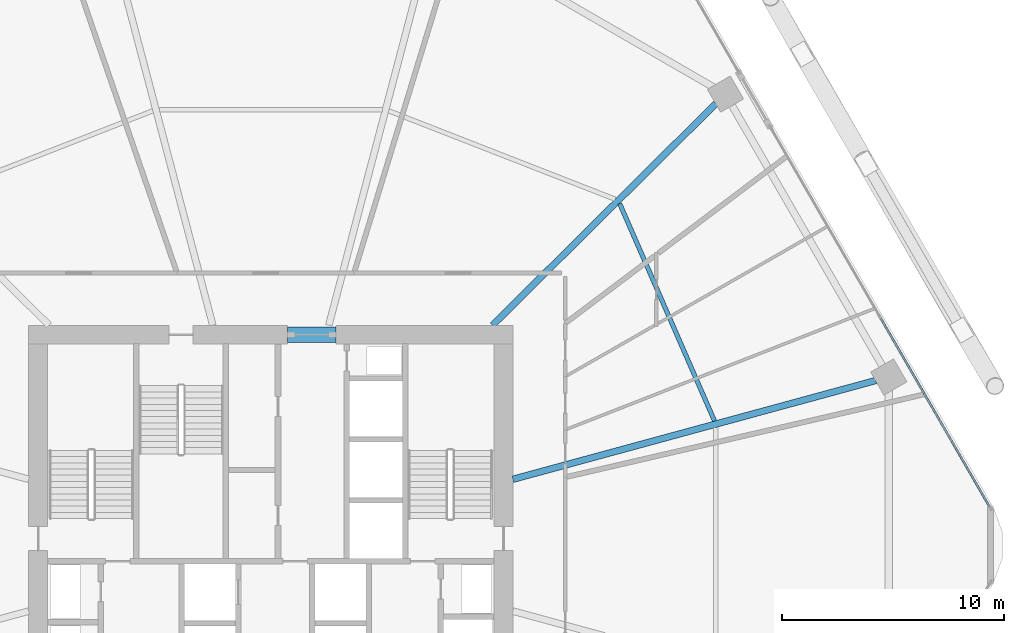
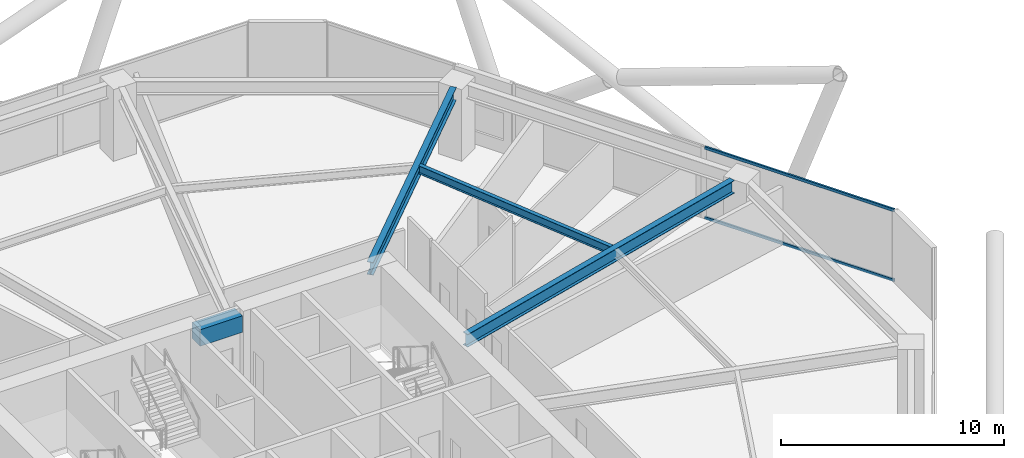
# One storey, part 18 of 28: 4 beams, 2 members, 1 element without a shape of its own.
"""IFC4 building model written with IfcOpenShell, lengths in metres."""

from ifc_helpers import new_model, si_unit, direction, frame, origin, origin_2d, place, context, subcontext, project, spatial, rectangle, hollow_rectangle, i_section, extrude, material, material_profile, profile_set, type_object, element, aggregate, save


model = new_model("IFC4")

# Units and contexts
model_context = context("Model", 3, precision=1e-05, world=origin(), true_north=direction((0.0, 1.0)))
body_context = subcontext(model_context, "Body", "Model", "MODEL_VIEW")
ifc_project = project(units=[si_unit("LENGTHUNIT", "METRE"), si_unit("AREAUNIT", "SQUARE_METRE"), si_unit("VOLUMEUNIT", "CUBIC_METRE"), si_unit("PLANEANGLEUNIT", "RADIAN"), si_unit("MASSUNIT", "GRAM", prefix="KILO")], contexts=[model_context])

# Site, building, storey
site_placement = place(None, origin())
site = spatial("IfcSite", under=ifc_project, at=site_placement, CompositionType="ELEMENT")
building_placement = place(site_placement, origin())
building = spatial("IfcBuilding", under=site, at=building_placement, Name="Zuhravey Tower", CompositionType="ELEMENT")
storey_placement = place(building_placement, frame((0.0, 0.0, 49.800048828125)))
storey = spatial("IfcBuildingStorey", under=building, at=storey_placement, Name="L12", CompositionType="ELEMENT", Elevation=49.800048828125)

# Beam
ifc_material_1 = material(Name="Concrete C60/75", Category="concrete")
ifc_material_profile_1 = material_profile(ifc_material_1, rectangle(XDim=0.699951171875, YDim=0.89990234375, at=origin_2d()), Name="RC-700x900")
ifc_profile_set_1 = profile_set([ifc_material_profile_1], Name="Concrete C60/75")
beam_type_1 = type_object("IfcBeamType", Name="Core Coupling Beam RC700x900", PredefinedType="LINTEL", material=ifc_profile_set_1)
beam_1_placement = place(storey_placement, frame((36.751953125, 41.5, 3.469970703125), z_axis=(1.0, 0.0, 0.0), x_axis=(0.0, 1.0, 0.0)))
element("IfcBeam", 1, at=beam_1_placement, inside=storey, type_object=beam_type_1, Name="L12 CB1 BM-L12-CB-N", PredefinedType="LINTEL", context=body_context, shape_type="SweptSolid", body=[
    extrude(rectangle(XDim=0.699951171875, YDim=0.89990234375, at=origin_2d()), origin(), (0.0, 0.0, 1.0), 2.196044921875),
])

# Curtain wall, members
ifc_material_2 = material(Name="Thermally broken anodised aluminium", Category="aluminium")
curtain_wall_type = type_object("IfcCurtainWallType", Name="School Low-E Unitised Curtain Wall CW1", PredefinedType="NOTDEFINED", material=ifc_material_2)
curtain_wall_placement = place(storey_placement, origin())
curtain_wall = element("IfcCurtainWall", 2, at=curtain_wall_placement, inside=storey, type_object=curtain_wall_type, Name="L12 CW1 CW-L12-F1-2", PredefinedType="NOTDEFINED")
ifc_material_3 = material(Name="Anodised aluminium", Category="aluminium")
ifc_material_profile_2 = material_profile(ifc_material_3, hollow_rectangle(XDim=0.090087890625, YDim=0.14990234375, WallThickness=0.0048828125, at=origin_2d()), Name="ALU-RHS-90x150x5")
ifc_profile_set_2 = profile_set([ifc_material_profile_2], Name="Anodised aluminium")
member_type = type_object("IfcMemberType", Name="Curtain-Wall Transom 90x150", PredefinedType="USERDEFINED", material=ifc_profile_set_2)
member_1_placement = place(storey_placement, frame((63.529296875, 42.234619140625, 0.044921875), z_axis=(0.500015484165, -0.866016463813, 0.0), x_axis=(0.866016463813, 0.500015484165, 0.0)))
member_1 = element("IfcMember", 3, at=member_1_placement, type_object=member_type, Name="CW1 transom 2.1", ObjectType="TRANSOM", PredefinedType="USERDEFINED", context=body_context, shape_type="SweptSolid", body=[
    extrude(hollow_rectangle(XDim=0.090087890625, YDim=0.14990234375, WallThickness=0.0048828125, at=origin_2d()), origin(), (0.0, 0.0, 1.0), 9.808349609375),
])
member_2_placement = place(storey_placement, frame((63.529296875, 42.234619140625, 3.875), z_axis=(0.500015484165, -0.866016463813, 0.0), x_axis=(0.866016463813, 0.500015484165, 0.0)))
member_2 = element("IfcMember", 4, at=member_2_placement, type_object=member_type, Name="CW1 transom 2.2", ObjectType="TRANSOM", PredefinedType="USERDEFINED", context=body_context, shape_type="SweptSolid", body=[
    extrude(hollow_rectangle(XDim=0.090087890625, YDim=0.14990234375, WallThickness=0.0048828125, at=origin_2d()), origin(), (0.0, 0.0, 1.0), 9.808349609375),
])
aggregate(curtain_wall, [member_1, member_2])

# Beams
ifc_material_4 = material(Name="Steel SM355", Category="steel")
ifc_material_profile_3 = material_profile(ifc_material_4, i_section(OverallWidth=0.300048828125, OverallDepth=0.699951171875, WebThickness=0.012939453125, FlangeThickness=0.02392578125, at=origin_2d()), Name="H-700x300x13x24")
ifc_profile_set_3 = profile_set([ifc_material_profile_3], Name="Steel SM355")
beam_type_2 = type_object("IfcBeamType", Name="Radial Primary Girder H700x300", PredefinedType="BEAM", material=ifc_profile_set_3)
beam_2_placement = place(storey_placement, frame((46.927978515625, 34.974609375, 3.570068359375), z_axis=(0.964892480455, 0.26264520015, 0.0), x_axis=(-0.26264520015, 0.964892480455, 0.0)))
element("IfcBeam", 5, at=beam_2_placement, inside=storey, type_object=beam_type_2, Name="L12 RG1 BM-L12-RAD-01", PredefinedType="BEAM", context=body_context, shape_type="SweptSolid", body=[
    extrude(i_section(OverallWidth=0.300048828125, OverallDepth=0.699951171875, WebThickness=0.012939453125, FlangeThickness=0.02392578125, at=origin_2d()), origin(), (0.0, 0.0, 1.0), 16.975341796875),
])
beam_3_placement = place(storey_placement, frame((46.007080078125, 41.927978515625, 3.570068359375), z_axis=(0.709902823282, 0.704299639, 0.0), x_axis=(-0.704299639, 0.709902823282, 0.0)))
element("IfcBeam", 6, at=beam_3_placement, inside=storey, type_object=beam_type_2, Name="L12 RG1 BM-L12-RAD-02", PredefinedType="BEAM", context=body_context, shape_type="SweptSolid", body=[
    extrude(i_section(OverallWidth=0.300048828125, OverallDepth=0.699951171875, WebThickness=0.012939453125, FlangeThickness=0.02392578125, at=origin_2d()), origin(), (0.0, 0.0, 1.0), 14.204345703125),
])
ifc_material_profile_4 = material_profile(ifc_material_4, i_section(OverallWidth=0.199951171875, OverallDepth=0.449951171875, WebThickness=0.009033203125, FlangeThickness=0.013916015625, at=origin_2d()), Name="H-450x200x9x14")
ifc_profile_set_4 = profile_set([ifc_material_profile_4], Name="Steel SM355")
beam_type_3 = type_object("IfcBeamType", Name="Secondary Floor Joist H450x200", PredefinedType="JOIST", material=ifc_profile_set_4)
beam_4_placement = place(storey_placement, frame((56.025390625, 37.60888671875, 3.695068359375), z_axis=(-0.399923551578, 0.916548500022, 0.0), x_axis=(-0.916548500022, -0.399923551578, 0.0)))
element("IfcBeam", 7, at=beam_4_placement, inside=storey, type_object=beam_type_3, Name="L12 SJ1 BM-L12-SJ-01-1", PredefinedType="JOIST", context=body_context, shape_type="SweptSolid", body=[
    extrude(i_section(OverallWidth=0.199951171875, OverallDepth=0.449951171875, WebThickness=0.009033203125, FlangeThickness=0.013916015625, at=origin_2d()), origin(), (0.0, 0.0, 1.0), 10.70263671875),
])

save(model, "model.ifc")
